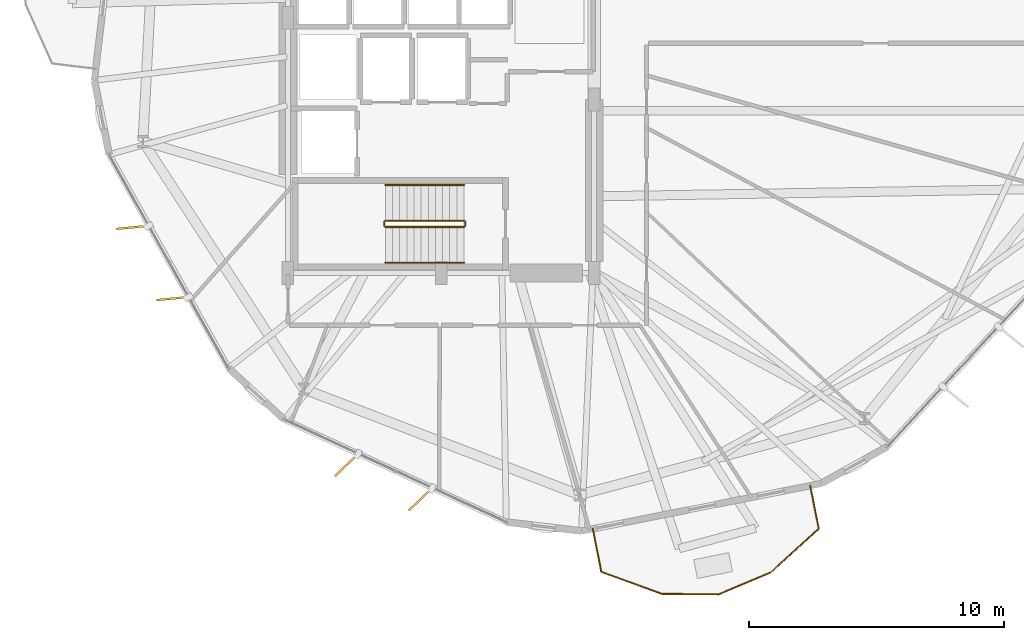
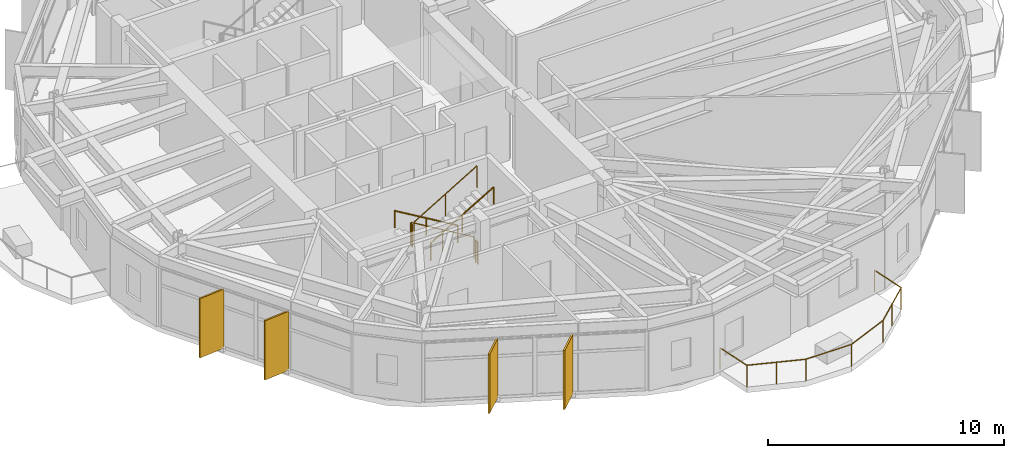
# One storey, part 20 of 22: 7 railings, 4 shading devices.
"""IFC4 building model written with IfcOpenShell, lengths in metres."""

from ifc_helpers import new_model, si_unit, direction, frame, origin, origin_2d, place, context, subcontext, project, spatial, rectangle, circle, extrude, material, layer, layer_set, type_object, element, save


model = new_model("IFC4")

# Units and contexts
model_context = context("Model", 3, precision=1e-05, world=origin(), true_north=direction((0.0, 1.0)))
body_context = subcontext(model_context, "Body", "Model", "MODEL_VIEW")
ifc_project = project(units=[si_unit("LENGTHUNIT", "METRE"), si_unit("AREAUNIT", "SQUARE_METRE"), si_unit("VOLUMEUNIT", "CUBIC_METRE"), si_unit("PLANEANGLEUNIT", "RADIAN"), si_unit("MASSUNIT", "GRAM", prefix="KILO")], contexts=[model_context])

# Site, building, storey
site_placement = place(None, origin())
site = spatial("IfcSite", under=ifc_project, at=site_placement, CompositionType="ELEMENT")
building_placement = place(site_placement, origin())
building = spatial("IfcBuilding", under=site, at=building_placement, Name="Soratama Intermodal Tower", CompositionType="ELEMENT")
storey_placement = place(building_placement, frame((0.0, 0.0, 70.60009765625)))
storey = spatial("IfcBuildingStorey", under=building, at=storey_placement, Name="L16", CompositionType="ELEMENT", Elevation=70.60009765625)

# Railings
ifc_material_1 = material(Name="Laminated glass and stainless steel balustrade", Category="steel")
railing_type_1 = type_object("IfcRailingType", Name="RL-BAL-1150", PredefinedType="BALUSTRADE", material=ifc_material_1)
railing_1_placement = place(storey_placement, frame((53.067138671875, 6.662109375, 0.0)))
element("IfcRailing", 1, at=railing_1_placement, inside=storey, type_object=railing_type_1, Name="L16 Balcony Balustrade 3", PredefinedType="BALUSTRADE", context=body_context, shape_type="SweptSolid", body=[
    extrude(circle(Radius=0.02392578125, at=origin_2d()), frame((0.0, 0.0, 1.1259765625), z_axis=(0.194614502899, -0.980879806735, 0.0), x_axis=(0.980879806735, 0.194614502899, 0.0)), (0.0, 0.0, 1.0), 1.719970703125),
    extrude(circle(Radius=0.02392578125, at=origin_2d()), frame((0.334716796875, -1.68701171875, 1.1259765625), z_axis=(-0.739338960087, -0.67333342565, 0.0), x_axis=(0.67333342565, -0.739338960087, 0.0)), (0.0, 0.0, 1.0), 2.537353515625),
    extrude(circle(Radius=0.02392578125, at=origin_2d()), frame((-1.541259765625, -3.3955078125, 1.1259765625), z_axis=(-0.9211706673, -0.389158838659, 0.0), x_axis=(0.389158838659, -0.9211706673, 0.0)), (0.0, 0.0, 1.0), 2.21826171875),
    extrude(circle(Radius=0.02392578125, at=origin_2d()), frame((-3.584716796875, -4.2587890625, 1.1259765625), z_axis=(-0.999967726265, 0.008034079245, 0.0), x_axis=(-0.008034079245, -0.999967726265, 0.0)), (0.0, 0.0, 1.0), 2.21826171875),
    extrude(circle(Radius=0.02392578125, at=origin_2d()), frame((-5.802978515625, -4.240966796875, 1.1259765625), z_axis=(-0.9403736064, 0.340143323301, 0.0), x_axis=(-0.340143323301, -0.9403736064, 0.0)), (0.0, 0.0, 1.0), 2.537353515625),
    extrude(circle(Radius=0.02392578125, at=origin_2d()), frame((-8.18896484375, -3.3779296875, 1.1259765625), z_axis=(-0.194587409128, 0.98088518197, 0.0), x_axis=(-0.98088518197, -0.194587409128, 0.0)), (0.0, 0.0, 1.0), 1.72021484375),
    extrude(circle(Radius=0.02099609375, at=origin_2d()), origin(), (0.0, 0.0, 1.0), 1.101806640625),
    extrude(circle(Radius=0.02099609375, at=origin_2d()), frame((0.334716796875, -1.68701171875, 0.0)), (0.0, 0.0, 1.0), 1.101806640625),
    extrude(circle(Radius=0.02099609375, at=origin_2d()), frame((-0.603271484375, -2.541259765625, 0.0)), (0.0, 0.0, 1.0), 1.101806640625),
    extrude(circle(Radius=0.02099609375, at=origin_2d()), frame((-1.541259765625, -3.3955078125, 0.0)), (0.0, 0.0, 1.0), 1.101806640625),
    extrude(circle(Radius=0.02099609375, at=origin_2d()), frame((-3.584716796875, -4.2587890625, 0.0)), (0.0, 0.0, 1.0), 1.101806640625),
    extrude(circle(Radius=0.02099609375, at=origin_2d()), frame((-5.802978515625, -4.240966796875, 0.0)), (0.0, 0.0, 1.0), 1.101806640625),
    extrude(circle(Radius=0.02099609375, at=origin_2d()), frame((-6.99609375, -3.8095703125, 0.0)), (0.0, 0.0, 1.0), 1.101806640625),
    extrude(circle(Radius=0.02099609375, at=origin_2d()), frame((-8.18896484375, -3.3779296875, 0.0)), (0.0, 0.0, 1.0), 1.101806640625),
    extrude(circle(Radius=0.02099609375, at=origin_2d()), frame((-8.523681640625, -1.690673828125, 0.0)), (0.0, 0.0, 1.0), 1.101806640625),
])
ifc_material_2 = material(Name="Painted steel stair guardrail", Category="steel")
railing_type_2 = type_object("IfcRailingType", Name="RL-STAIR-GUARD", PredefinedType="GUARDRAIL", material=ifc_material_2)
railing_2_placement = place(storey_placement, frame((39.5, 17.050048828125, 0.16650390625)))
element("IfcRailing", 2, at=railing_2_placement, inside=storey, type_object=railing_type_2, Name="L16 ST-1 stair guard 1", PredefinedType="GUARDRAIL", context=body_context, shape_type="SweptSolid", body=[
    extrude(circle(Radius=0.02392578125, at=origin_2d()), frame((0.0, 0.0, 1.1259765625), z_axis=(-0.85927862911, 0.0, 0.511507807912), x_axis=(0.0, -1.0, 0.0)), (0.0, 0.0, 1.0), 3.58447265625),
    extrude(circle(Radius=0.02099609375, at=origin_2d()), origin(), (0.0, 0.0, 1.0), 1.101806640625),
    extrude(circle(Radius=0.02099609375, at=origin_2d()), frame((-1.5400390625, 0.0, 0.916748046875)), (0.0, 0.0, 1.0), 1.101806640625),
    extrude(circle(Radius=0.02099609375, at=origin_2d()), frame((-3.080078125, 0.0, 1.83349609375)), (0.0, 0.0, 1.0), 1.101806640625),
])
railing_3_placement = place(storey_placement, frame((36.3701171875, 17.0, 2.0)))
element("IfcRailing", 3, at=railing_3_placement, inside=storey, type_object=railing_type_2, Name="L16 ST-1 stair guard 2", PredefinedType="GUARDRAIL", context=body_context, shape_type="SweptSolid", body=[
    extrude(circle(Radius=0.02392578125, at=origin_2d()), frame((0.0, 0.0, 1.1259765625), z_axis=(0.0, -1.0, 0.0), x_axis=(1.0, 0.0, 0.0)), (0.0, 0.0, 1.0), 0.14990234375),
    extrude(circle(Radius=0.02099609375, at=origin_2d()), origin(), (0.0, 0.0, 1.0), 1.101806640625),
    extrude(circle(Radius=0.02099609375, at=origin_2d()), frame((0.0, -0.14990234375, 0.0)), (0.0, 0.0, 1.0), 1.101806640625),
])
railing_4_placement = place(storey_placement, frame((36.419921875, 16.800048828125, 2.16650390625)))
element("IfcRailing", 4, at=railing_4_placement, inside=storey, type_object=railing_type_2, Name="L16 ST-1 stair guard 3", PredefinedType="GUARDRAIL", context=body_context, shape_type="SweptSolid", body=[
    extrude(circle(Radius=0.02392578125, at=origin_2d()), frame((0.0, 0.0, 1.1259765625), z_axis=(0.85927862911, 0.0, 0.511507807912), x_axis=(0.0, 1.0, 0.0)), (0.0, 0.0, 1.0), 3.58447265625),
    extrude(circle(Radius=0.02099609375, at=origin_2d()), origin(), (0.0, 0.0, 1.0), 1.101806640625),
    extrude(circle(Radius=0.02099609375, at=origin_2d()), frame((1.5400390625, 0.0, 0.916748046875)), (0.0, 0.0, 1.0), 1.101806640625),
    extrude(circle(Radius=0.02099609375, at=origin_2d()), frame((3.080078125, 0.0, 1.83349609375)), (0.0, 0.0, 1.0), 1.101806640625),
])
railing_5_placement = place(storey_placement, frame((39.550048828125, 17.0, 0.0)))
element("IfcRailing", 5, at=railing_5_placement, inside=storey, type_object=railing_type_2, Name="L16 ST-1 stair guard 4", PredefinedType="GUARDRAIL", context=body_context, shape_type="SweptSolid", body=[
    extrude(circle(Radius=0.02392578125, at=origin_2d()), frame((0.0, 0.0, 1.1259765625), z_axis=(0.0, -1.0, 0.0), x_axis=(1.0, 0.0, 0.0)), (0.0, 0.0, 1.0), 0.14990234375),
    extrude(circle(Radius=0.02099609375, at=origin_2d()), origin(), (0.0, 0.0, 1.0), 1.101806640625),
    extrude(circle(Radius=0.02099609375, at=origin_2d()), frame((0.0, -0.14990234375, 0.0)), (0.0, 0.0, 1.0), 1.101806640625),
])
ifc_material_3 = material(Name="Brushed stainless steel handrail", Category="steel")
railing_type_3 = type_object("IfcRailingType", Name="RL-STAIR-HAND", PredefinedType="HANDRAIL", material=ifc_material_3)
railing_6_placement = place(storey_placement, frame((39.5, 18.449951171875, 0.16650390625)))
element("IfcRailing", 6, at=railing_6_placement, inside=storey, type_object=railing_type_3, Name="L16 ST-1 stair handrail 1", PredefinedType="HANDRAIL", context=body_context, shape_type="SweptSolid", body=[
    extrude(circle(Radius=0.02392578125, at=origin_2d()), frame((0.0, 0.0, 0.8759765625), z_axis=(-0.85927862911, 0.0, 0.511507807912), x_axis=(0.0, -1.0, 0.0)), (0.0, 0.0, 1.0), 3.58447265625),
    extrude(circle(Radius=0.02099609375, at=origin_2d()), origin(), (0.0, 0.0, 1.0), 0.851806640625),
    extrude(circle(Radius=0.02099609375, at=origin_2d()), frame((-1.5400390625, 0.0, 0.916748046875)), (0.0, 0.0, 1.0), 0.851806640625),
    extrude(circle(Radius=0.02099609375, at=origin_2d()), frame((-3.080078125, 0.0, 1.83349609375)), (0.0, 0.0, 1.0), 0.851806640625),
])
railing_7_placement = place(storey_placement, frame((36.419921875, 15.39990234375, 2.16650390625)))
element("IfcRailing", 7, at=railing_7_placement, inside=storey, type_object=railing_type_3, Name="L16 ST-1 stair handrail 2", PredefinedType="HANDRAIL", context=body_context, shape_type="SweptSolid", body=[
    extrude(circle(Radius=0.02392578125, at=origin_2d()), frame((0.0, 0.0, 0.8759765625), z_axis=(0.85927862911, 0.0, 0.511507807912), x_axis=(0.0, 1.0, 0.0)), (0.0, 0.0, 1.0), 3.58447265625),
    extrude(circle(Radius=0.02099609375, at=origin_2d()), origin(), (0.0, 0.0, 1.0), 0.851806640625),
    extrude(circle(Radius=0.02099609375, at=origin_2d()), frame((1.5400390625, 0.0, 0.916748046875)), (0.0, 0.0, 1.0), 0.851806640625),
    extrude(circle(Radius=0.02099609375, at=origin_2d()), frame((3.080078125, 0.0, 1.83349609375)), (0.0, 0.0, 1.0), 0.851806640625),
])

# Shading devices
ifc_material_4 = material(Name="Champagne anodised aluminium solar fin", Category="aluminium")
ifc_layer = layer(ifc_material_4, 0.080078125)
ifc_layer_set = layer_set([ifc_layer], Name="Champagne anodised aluminium solar fin")
shading_device_type = type_object("IfcShadingDeviceType", Name="SH-FIN-1250", PredefinedType="USERDEFINED", material=ifc_layer_set)
for number, where, z_axis, x_axis, name in (
    (8, (26.50927734375, 16.785888671875, 0.019775390625), (0.0, 0.0, 1.0), (-0.995362681246, -0.096193205494, 0.0), "L16 Solar Fin F06-1"),
    (9, (28.06982421875, 13.99609375, 0.019775390625), (0.0, 0.0, 1.0), (-0.995362681246, -0.096193205494, 0.0), "L16 Solar Fin F06-2"),
    (10, (34.88671875, 7.466796875, 0.019775390625), (0.0, 0.0, 1.0), (-0.721276845158, -0.692646888854, 0.0), "L16 Solar Fin F07-1"),
    (11, (37.788818359375, 6.126953125, 0.019775390625), (0.0, 0.0, 1.0), (-0.721276845158, -0.692646888854, 0.0), "L16 Solar Fin F07-2"),
):
    element("IfcShadingDevice", number, at=place(storey_placement, frame(where, z_axis=z_axis, x_axis=x_axis)), inside=storey, type_object=shading_device_type, Name=name, ObjectType="FIN", PredefinedType="USERDEFINED", context=body_context, shape_type="SweptSolid", body=[
        extrude(rectangle(XDim=1.25, YDim=0.080078125, at=origin_2d()), origin(), (0.0, 0.0, 1.0), 3.05908203125),
    ])

save(model, "model.ifc")
